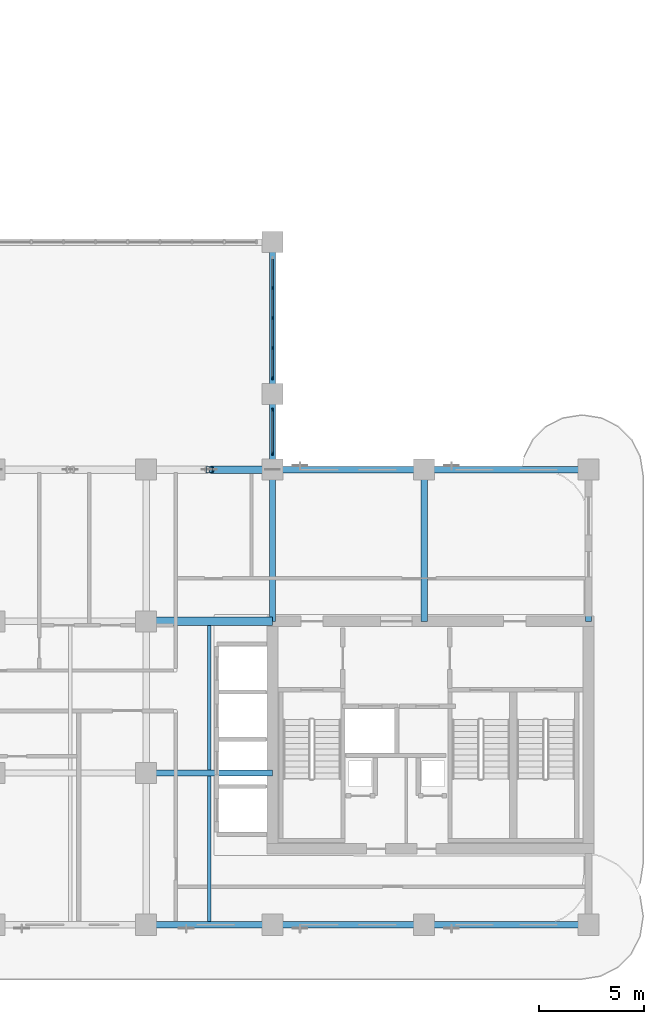
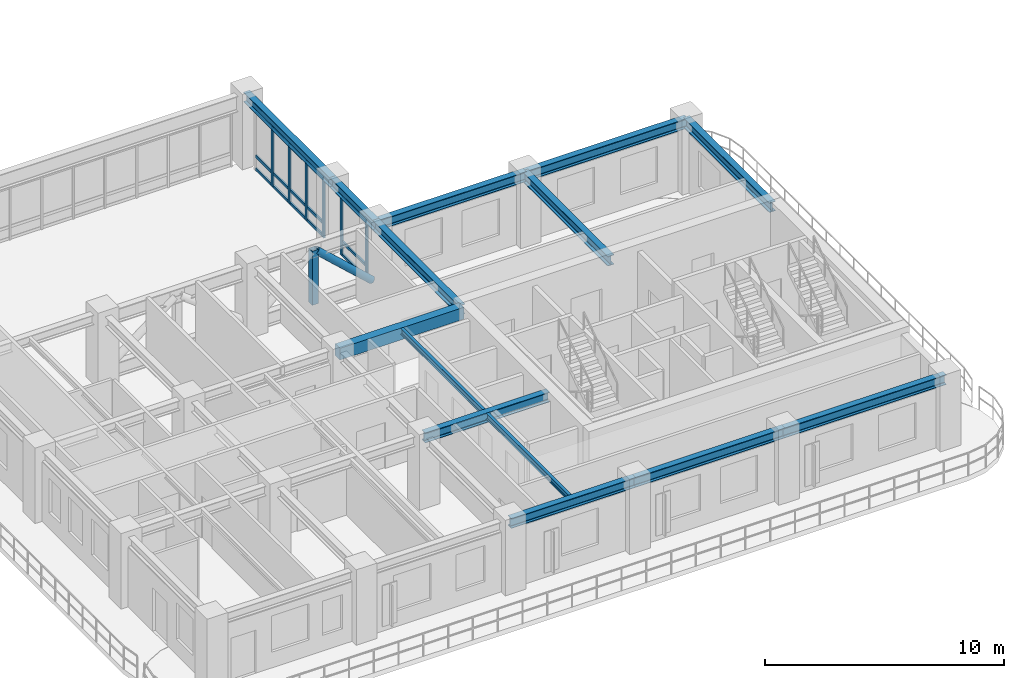
# One storey, part 3 of 17: 23 members, 14 beams, 2 elements without a shape of their own.
"""IFC4 building model written with IfcOpenShell, lengths in metres."""

from ifc_helpers import new_model, si_unit, derived_unit, direction, frame, origin, origin_2d, place, context, subcontext, project, spatial, rectangle, hollow_rectangle, hollow_circle, i_section, extrude, source, transform, mapped, material, layer, layer_set, material_profile, profile_set, type_object, type_shapes, element, aggregate, save


model = new_model("IFC4")

# Units and contexts
model_context = context("Model", 3, precision=1e-05, world=origin(), true_north=direction((0.0, 1.0)))
body_context = subcontext(model_context, "Body", "Model", "MODEL_VIEW")
ifc_project = project(units=[si_unit("LENGTHUNIT", "METRE"), si_unit("AREAUNIT", "SQUARE_METRE"), si_unit("VOLUMEUNIT", "CUBIC_METRE"), si_unit("PLANEANGLEUNIT", "RADIAN"), si_unit("MASSUNIT", "GRAM", prefix="KILO"), si_unit("THERMODYNAMICTEMPERATUREUNIT", "KELVIN"), si_unit("POWERUNIT", "WATT"), derived_unit("THERMALTRANSMITTANCEUNIT", [(si_unit("POWERUNIT", "WATT"), 1), (si_unit("AREAUNIT", "SQUARE_METRE"), -1), (si_unit("THERMODYNAMICTEMPERATUREUNIT", "KELVIN"), -1)])], contexts=[model_context])

# Site, building, storey
site_placement = place(None, origin())
site = spatial("IfcSite", under=ifc_project, at=site_placement, CompositionType="ELEMENT")
building_placement = place(site_placement, origin())
building = spatial("IfcBuilding", under=site, at=building_placement, Name="Zahravan Archway Hotel and Residences", CompositionType="ELEMENT")
storey_placement = place(building_placement, frame((0.0, 0.0, 192.64990234375)))
storey = spatial("IfcBuildingStorey", under=building, at=storey_placement, Name="L48", CompositionType="ELEMENT", Elevation=192.64990234375)

# Beams
ifc_material_1 = material(Name="Concrete C60/75", Category="concrete")
ifc_material_profile_1 = material_profile(ifc_material_1, rectangle(XDim=0.39990234375, YDim=0.60009765625, at=origin_2d()), Name="RC-LNT-400x600", Category="concrete")
ifc_profile_set_1 = profile_set([ifc_material_profile_1], Name="Concrete C60/75")
beam_type_1 = type_object("IfcBeamType", Name="LNT-RC-400x600", PredefinedType="LINTEL", material=ifc_profile_set_1)
shared_shape_1 = source(origin(), body_context, "Body", "SweptSolid", [
    extrude(rectangle(XDim=0.39990234375, YDim=0.60009765625, at=origin_2d()), origin(), (0.0, 0.0, 1.0), 6.0),
])
type_shapes(beam_type_1, [shared_shape_1])
beam_1_placement = place(storey_placement, frame((28.800048828125, 14.39990234375, 3.25), z_axis=(1.0, 0.0, 0.0), x_axis=(0.0, 1.0, 0.0)))
element("IfcBeam", 1, at=beam_1_placement, inside=storey, type_object=beam_type_1, Name="L48 Core A Coupling Lintel Beam", PredefinedType="LINTEL", context=body_context, shape_type="MappedRepresentation", body=[
    mapped(shared_shape_1, transform((0.0, 0.0, 0.0), scale=1.0)),
])
ifc_material_2 = material(Name="Structural Steel S355JR", Category="steel")
ifc_material_profile_2 = material_profile(ifc_material_2, i_section(OverallWidth=0.300048828125, OverallDepth=0.5, WebThickness=0.014404296875, FlangeThickness=0.028076171875, FilletRadius=0.027099609375, at=origin_2d()), Name="HEB 500", Category="steel")
ifc_profile_set_2 = profile_set([ifc_material_profile_2], Name="Structural Steel S355JR")
beam_type_2 = type_object("IfcBeamType", Name="BM-PRI-HEB500", PredefinedType="BEAM", material=ifc_profile_set_2)
shared_shape_2 = source(origin(), body_context, "Body", "SweptSolid", [
    extrude(i_section(OverallWidth=0.300048828125, OverallDepth=0.5, WebThickness=0.014404296875, FlangeThickness=0.028076171875, FilletRadius=0.027099609375, at=origin_2d()), origin(), (0.0, 0.0, 1.0), 7.2001953125),
])
type_shapes(beam_type_2, [shared_shape_2])
for number, where, z_axis, x_axis, name in (
    (2, (34.800048828125, 14.39990234375, 3.300048828125), (0.0, 1.0, 0.0), (-1.0, 0.0, 0.0), "L48 Primary Girder NS-40"),
    (3, (42.0, 14.39990234375, 3.300048828125), (0.0, 1.0, 0.0), (-1.0, 0.0, 0.0), "L48 Primary Girder NS-43"),
    (4, (49.800048828125, 14.39990234375, 3.300048828125), (0.0, 1.0, 0.0), (-1.0, 0.0, 0.0), "L48 Primary Girder NS-44"),
):
    element("IfcBeam", number, at=place(storey_placement, frame(where, z_axis=z_axis, x_axis=x_axis)), inside=storey, type_object=beam_type_2, Name=name, PredefinedType="BEAM", context=body_context, shape_type="MappedRepresentation", body=[
        mapped(shared_shape_2, transform((0.0, 0.0, 0.0), scale=1.0)),
    ])
shared_shape_3 = source(origin(), body_context, "Body", "SweptSolid", [
    extrude(i_section(OverallWidth=0.300048828125, OverallDepth=0.5, WebThickness=0.014404296875, FlangeThickness=0.028076171875, FilletRadius=0.027099609375, at=origin_2d()), origin(), (0.0, 0.0, 1.0), 7.199951171875),
])
for number, where, z_axis, x_axis, name in (
    (5, (34.800048828125, 0.0, 3.300048828125), (1.0, 0.0, 0.0), (0.0, 1.0, 0.0), "L48 Primary Girder EW-04"),
    (6, (34.800048828125, 21.60009765625, 3.300048828125), (1.0, 0.0, 0.0), (0.0, 1.0, 0.0), "L48 Primary Girder EW-12"),
    (7, (34.800048828125, 25.199951171875, 3.300048828125), (0.0, 1.0, 0.0), (-1.0, 0.0, 0.0), "L48 Primary Girder NS-42"),
):
    element("IfcBeam", number, at=place(storey_placement, frame(where, z_axis=z_axis, x_axis=x_axis)), inside=storey, type_object=beam_type_2, Name=name, PredefinedType="BEAM", context=body_context, shape_type="MappedRepresentation", body=[
        mapped(shared_shape_3, transform((0.0, 0.0, 0.0), scale=1.0)),
    ])
shared_shape_4 = source(origin(), body_context, "Body", "SweptSolid", [
    extrude(i_section(OverallWidth=0.300048828125, OverallDepth=0.5, WebThickness=0.014404296875, FlangeThickness=0.028076171875, FilletRadius=0.027099609375, at=origin_2d()), origin(), (0.0, 0.0, 1.0), 6.0),
])
for number, where, z_axis, x_axis, name in (
    (8, (28.800048828125, 0.0, 3.300048828125), (1.0, 0.0, 0.0), (0.0, 1.0, 0.0), "L48 Primary Girder EW-03"),
    (9, (28.800048828125, 7.199951171875, 3.300048828125), (1.0, 0.0, 0.0), (0.0, 1.0, 0.0), "L48 Primary Girder EW-08"),
):
    element("IfcBeam", number, at=place(storey_placement, frame(where, z_axis=z_axis, x_axis=x_axis)), inside=storey, type_object=beam_type_2, Name=name, PredefinedType="BEAM", context=body_context, shape_type="MappedRepresentation", body=[
        mapped(shared_shape_4, transform((0.0, 0.0, 0.0), scale=1.0)),
    ])
shared_shape_5 = source(origin(), body_context, "Body", "SweptSolid", [
    extrude(i_section(OverallWidth=0.300048828125, OverallDepth=0.5, WebThickness=0.014404296875, FlangeThickness=0.028076171875, FilletRadius=0.027099609375, at=origin_2d()), origin(), (0.0, 0.0, 1.0), 7.800048828125),
])
for number, where, z_axis, x_axis, name in (
    (10, (42.0, 0.0, 3.300048828125), (1.0, 0.0, 0.0), (0.0, 1.0, 0.0), "L48 Primary Girder EW-05"),
    (11, (42.0, 21.60009765625, 3.300048828125), (1.0, 0.0, 0.0), (0.0, 1.0, 0.0), "L48 Primary Girder EW-13"),
):
    element("IfcBeam", number, at=place(storey_placement, frame(where, z_axis=z_axis, x_axis=x_axis)), inside=storey, type_object=beam_type_2, Name=name, PredefinedType="BEAM", context=body_context, shape_type="MappedRepresentation", body=[
        mapped(shared_shape_5, transform((0.0, 0.0, 0.0), scale=1.0)),
    ])
shared_shape_6 = source(origin(), body_context, "Body", "SweptSolid", [
    extrude(i_section(OverallWidth=0.300048828125, OverallDepth=0.5, WebThickness=0.014404296875, FlangeThickness=0.028076171875, FilletRadius=0.027099609375, at=origin_2d()), origin(), (0.0, 0.0, 1.0), 3.599853515625),
])
beam_2_placement = place(storey_placement, frame((34.800048828125, 21.60009765625, 3.300048828125), z_axis=(0.0, 1.0, 0.0), x_axis=(-1.0, 0.0, 0.0)))
element("IfcBeam", 12, at=beam_2_placement, inside=storey, type_object=beam_type_2, Name="L48 Primary Girder NS-41", PredefinedType="BEAM", context=body_context, shape_type="MappedRepresentation", body=[
    mapped(shared_shape_6, transform((0.0, 0.0, 0.0), scale=1.0)),
])
ifc_material_profile_3 = material_profile(ifc_material_2, i_section(OverallWidth=0.14990234375, OverallDepth=0.300048828125, WebThickness=0.007080078125, FlangeThickness=0.0107421875, FilletRadius=0.014892578125, at=origin_2d()), Name="IPE 300", Category="steel")
ifc_profile_set_3 = profile_set([ifc_material_profile_3], Name="Structural Steel S355JR")
beam_type_3 = type_object("IfcBeamType", Name="BM-JST-IPE300", PredefinedType="JOIST", material=ifc_profile_set_3)
shared_shape_7 = source(origin(), body_context, "Body", "SweptSolid", [
    extrude(i_section(OverallWidth=0.14990234375, OverallDepth=0.300048828125, WebThickness=0.007080078125, FlangeThickness=0.0107421875, FilletRadius=0.014892578125, at=origin_2d()), origin(), (0.0, 0.0, 1.0), 6.904052734375),
])
type_shapes(beam_type_3, [shared_shape_7])
beam_3_placement = place(storey_placement, frame((31.800048828125, 0.14794921875, 3.400146484375), z_axis=(0.0, 1.0, 0.0), x_axis=(-1.0, 0.0, 0.0)))
element("IfcBeam", 13, at=beam_3_placement, inside=storey, type_object=beam_type_3, Name="L48 Composite Floor Joist 03", PredefinedType="JOIST", context=body_context, shape_type="MappedRepresentation", body=[
    mapped(shared_shape_7, transform((0.0, 0.0, 0.0), scale=1.0)),
])
shared_shape_8 = source(origin(), body_context, "Body", "SweptSolid", [
    extrude(i_section(OverallWidth=0.14990234375, OverallDepth=0.300048828125, WebThickness=0.007080078125, FlangeThickness=0.0107421875, FilletRadius=0.014892578125, at=origin_2d()), origin(), (0.0, 0.0, 1.0), 6.85400390625),
])
beam_4_placement = place(storey_placement, frame((31.800048828125, 7.347900390625, 3.400146484375), z_axis=(0.0, 1.0, 0.0), x_axis=(-1.0, 0.0, 0.0)))
element("IfcBeam", 14, at=beam_4_placement, inside=storey, type_object=beam_type_3, Name="L48 Composite Floor Joist 06", PredefinedType="JOIST", context=body_context, shape_type="MappedRepresentation", body=[
    mapped(shared_shape_8, transform((0.0, 0.0, 0.0), scale=1.0)),
])

# Members
ifc_material_3 = material(Name="Structural Steel S355J2", Category="steel")
ifc_material_profile_4 = material_profile(ifc_material_3, hollow_rectangle(XDim=0.300048828125, YDim=0.300048828125, WallThickness=0.01611328125, at=origin_2d()), Name="SHS 300x300x16", Category="steel")
ifc_profile_set_4 = profile_set([ifc_material_profile_4], Name="Structural Steel S355J2")
member_type_1 = type_object("IfcMemberType", Name="MEM-POST-SHS300", PredefinedType="POST", material=ifc_profile_set_4)
shared_shape_9 = source(origin(), body_context, "Body", "SweptSolid", [
    extrude(hollow_rectangle(XDim=0.300048828125, YDim=0.300048828125, WallThickness=0.01611328125, at=origin_2d()), origin(), (0.0, 0.0, 1.0), 2.75),
])
member_1_placement = place(storey_placement, frame((31.800048828125, 21.60009765625, 0.35009765625), z_axis=(0.0, 0.0, 1.0), x_axis=(1.0, 0.0, 0.0)))
element("IfcMember", 15, at=member_1_placement, inside=storey, type_object=member_type_1, Name="L48 Sky-Bridge Truss Post 3", PredefinedType="POST", context=body_context, shape_type="MappedRepresentation", body=[
    mapped(shared_shape_9, transform((0.0, 0.0, 0.0), scale=1.0)),
])
ifc_material_profile_5 = material_profile(ifc_material_3, hollow_circle(Radius=0.177734375, WallThickness=0.01611328125, at=origin_2d()), Name="CHS 355.6x16", Category="steel")
ifc_profile_set_5 = profile_set([ifc_material_profile_5], Name="Structural Steel S355J2")
member_type_2 = type_object("IfcMemberType", Name="MEM-DIAG-CHS355", PredefinedType="BRACE", material=ifc_profile_set_5)
shared_shape_10 = source(origin(), body_context, "Body", "SweptSolid", [
    extrude(hollow_circle(Radius=0.177734375, WallThickness=0.01611328125, at=origin_2d()), origin(), (0.0, 0.0, 1.0), 3.649658203125),
])
member_2_placement = place(storey_placement, frame((31.9033203125, 21.60009765625, 3.005615234375), z_axis=(0.737112487395, 0.0, -0.67577006513), x_axis=(0.0, 1.0, 0.0)))
element("IfcMember", 16, at=member_2_placement, inside=storey, type_object=member_type_2, Name="L48 Sky-Bridge Truss Diagonal 4", PredefinedType="BRACE", context=body_context, shape_type="MappedRepresentation", body=[
    mapped(shared_shape_10, transform((0.0, 0.0, 0.0), scale=1.0)),
])

# Curtain wall, members
ifc_material_4 = material(Name="Bronze-Anodized Unitised Aluminium & Low-E Glass", Category="aluminium")
ifc_layer = layer(ifc_material_4, 0.179931640625, Name="Bronze-Anodized Unitised Aluminium & Low-E Glass", Category="aluminium")
ifc_layer_set = layer_set([ifc_layer], Name="Bronze-Anodized Unitised Aluminium & Low-E Glass")
curtain_wall_type = type_object("IfcCurtainWallType", Name="CW-SBG-2", PredefinedType="NOTDEFINED", material=ifc_layer_set)
curtain_wall_1_placement = place(storey_placement, origin())
curtain_wall_1 = element("IfcCurtainWall", 17, at=curtain_wall_1_placement, inside=storey, type_object=curtain_wall_type, Name="L48 Curtain Wall CW-L48-HNG-E-2", PredefinedType="NOTDEFINED")
ifc_material_5 = material(Name="Bronze-Anodized Extruded Aluminium", Category="aluminium")
ifc_material_profile_6 = material_profile(ifc_material_5, rectangle(XDim=0.080078125, YDim=0.139892578125, at=origin_2d()), Name="TRN 80x140", Category="aluminium")
ifc_profile_set_6 = profile_set([ifc_material_profile_6], Name="Bronze-Anodized Extruded Aluminium")
member_type_3 = type_object("IfcMemberType", Name="CWM-TRN-140", PredefinedType="USERDEFINED", material=ifc_profile_set_6)
shared_shape_11 = source(origin(), body_context, "Body", "SweptSolid", [
    extrude(rectangle(XDim=0.080078125, YDim=0.139892578125, at=origin_2d()), origin(), (0.0, 0.0, 1.0), 1.33984375),
])
member_3_placement = place(storey_placement, frame((34.800048828125, 28.840087890625, 0.070068359375), z_axis=(0.0, 1.0, 0.0), x_axis=(-1.0, 0.0, 0.0)))
member_3 = element("IfcMember", 18, at=member_3_placement, type_object=member_type_3, Name="CW-L48-HNG-E-2 Transom 2-1", ObjectType="TRANSOM", PredefinedType="USERDEFINED", context=body_context, shape_type="MappedRepresentation", body=[
    mapped(shared_shape_11, transform((0.0, 0.0, 0.0), scale=1.0)),
])
member_4_placement = place(storey_placement, frame((34.800048828125, 28.840087890625, 0.728515625), z_axis=(0.0, 1.0, 0.0), x_axis=(-1.0, 0.0, 0.0)))
member_4 = element("IfcMember", 19, at=member_4_placement, type_object=member_type_3, Name="CW-L48-HNG-E-2 Transom 2-2", ObjectType="TRANSOM", PredefinedType="USERDEFINED", context=body_context, shape_type="MappedRepresentation", body=[
    mapped(shared_shape_11, transform((0.0, 0.0, 0.0), scale=1.0)),
])
member_5_placement = place(storey_placement, frame((34.800048828125, 28.840087890625, 2.965087890625), z_axis=(0.0, 1.0, 0.0), x_axis=(-1.0, 0.0, 0.0)))
member_5 = element("IfcMember", 20, at=member_5_placement, type_object=member_type_3, Name="CW-L48-HNG-E-2 Transom 2-3", ObjectType="TRANSOM", PredefinedType="USERDEFINED", context=body_context, shape_type="MappedRepresentation", body=[
    mapped(shared_shape_11, transform((0.0, 0.0, 0.0), scale=1.0)),
])
shared_shape_12 = source(origin(), body_context, "Body", "SweptSolid", [
    extrude(rectangle(XDim=0.080078125, YDim=0.139892578125, at=origin_2d()), origin(), (0.0, 0.0, 1.0), 1.340087890625),
])
member_6_placement = place(storey_placement, frame((34.800048828125, 26.0, 0.070068359375), z_axis=(0.0, 1.0, 0.0), x_axis=(-1.0, 0.0, 0.0)))
member_6 = element("IfcMember", 21, at=member_6_placement, type_object=member_type_3, Name="CW-L48-HNG-E-2 Transom 0-1", ObjectType="TRANSOM", PredefinedType="USERDEFINED", context=body_context, shape_type="MappedRepresentation", body=[
    mapped(shared_shape_12, transform((0.0, 0.0, 0.0), scale=1.0)),
])
member_7_placement = place(storey_placement, frame((34.800048828125, 26.0, 0.728515625), z_axis=(0.0, 1.0, 0.0), x_axis=(-1.0, 0.0, 0.0)))
member_7 = element("IfcMember", 22, at=member_7_placement, type_object=member_type_3, Name="CW-L48-HNG-E-2 Transom 0-2", ObjectType="TRANSOM", PredefinedType="USERDEFINED", context=body_context, shape_type="MappedRepresentation", body=[
    mapped(shared_shape_12, transform((0.0, 0.0, 0.0), scale=1.0)),
])
member_8_placement = place(storey_placement, frame((34.800048828125, 26.0, 2.965087890625), z_axis=(0.0, 1.0, 0.0), x_axis=(-1.0, 0.0, 0.0)))
member_8 = element("IfcMember", 23, at=member_8_placement, type_object=member_type_3, Name="CW-L48-HNG-E-2 Transom 0-3", ObjectType="TRANSOM", PredefinedType="USERDEFINED", context=body_context, shape_type="MappedRepresentation", body=[
    mapped(shared_shape_12, transform((0.0, 0.0, 0.0), scale=1.0)),
])
member_9_placement = place(storey_placement, frame((34.800048828125, 27.419921875, 0.070068359375), z_axis=(0.0, 1.0, 0.0), x_axis=(-1.0, 0.0, 0.0)))
member_9 = element("IfcMember", 24, at=member_9_placement, type_object=member_type_3, Name="CW-L48-HNG-E-2 Transom 1-1", ObjectType="TRANSOM", PredefinedType="USERDEFINED", context=body_context, shape_type="MappedRepresentation", body=[
    mapped(shared_shape_12, transform((0.0, 0.0, 0.0), scale=1.0)),
])
member_10_placement = place(storey_placement, frame((34.800048828125, 27.419921875, 0.728515625), z_axis=(0.0, 1.0, 0.0), x_axis=(-1.0, 0.0, 0.0)))
member_10 = element("IfcMember", 25, at=member_10_placement, type_object=member_type_3, Name="CW-L48-HNG-E-2 Transom 1-2", ObjectType="TRANSOM", PredefinedType="USERDEFINED", context=body_context, shape_type="MappedRepresentation", body=[
    mapped(shared_shape_12, transform((0.0, 0.0, 0.0), scale=1.0)),
])
member_11_placement = place(storey_placement, frame((34.800048828125, 27.419921875, 2.965087890625), z_axis=(0.0, 1.0, 0.0), x_axis=(-1.0, 0.0, 0.0)))
member_11 = element("IfcMember", 26, at=member_11_placement, type_object=member_type_3, Name="CW-L48-HNG-E-2 Transom 1-3", ObjectType="TRANSOM", PredefinedType="USERDEFINED", context=body_context, shape_type="MappedRepresentation", body=[
    mapped(shared_shape_12, transform((0.0, 0.0, 0.0), scale=1.0)),
])
member_12_placement = place(storey_placement, frame((34.800048828125, 30.260009765625, 0.070068359375), z_axis=(0.0, 1.0, 0.0), x_axis=(-1.0, 0.0, 0.0)))
member_12 = element("IfcMember", 27, at=member_12_placement, type_object=member_type_3, Name="CW-L48-HNG-E-2 Transom 3-1", ObjectType="TRANSOM", PredefinedType="USERDEFINED", context=body_context, shape_type="MappedRepresentation", body=[
    mapped(shared_shape_12, transform((0.0, 0.0, 0.0), scale=1.0)),
])
member_13_placement = place(storey_placement, frame((34.800048828125, 30.260009765625, 0.728515625), z_axis=(0.0, 1.0, 0.0), x_axis=(-1.0, 0.0, 0.0)))
member_13 = element("IfcMember", 28, at=member_13_placement, type_object=member_type_3, Name="CW-L48-HNG-E-2 Transom 3-2", ObjectType="TRANSOM", PredefinedType="USERDEFINED", context=body_context, shape_type="MappedRepresentation", body=[
    mapped(shared_shape_12, transform((0.0, 0.0, 0.0), scale=1.0)),
])
member_14_placement = place(storey_placement, frame((34.800048828125, 30.260009765625, 2.965087890625), z_axis=(0.0, 1.0, 0.0), x_axis=(-1.0, 0.0, 0.0)))
member_14 = element("IfcMember", 29, at=member_14_placement, type_object=member_type_3, Name="CW-L48-HNG-E-2 Transom 3-3", ObjectType="TRANSOM", PredefinedType="USERDEFINED", context=body_context, shape_type="MappedRepresentation", body=[
    mapped(shared_shape_12, transform((0.0, 0.0, 0.0), scale=1.0)),
])

curtain_wall_2_placement = place(storey_placement, origin())
curtain_wall_2 = element("IfcCurtainWall", 30, at=curtain_wall_2_placement, inside=storey, type_object=curtain_wall_type, Name="L48 Curtain Wall CW-L48-HNG-E-1", PredefinedType="NOTDEFINED")
shared_shape_13 = source(origin(), body_context, "Body", "SweptSolid", [
    extrude(rectangle(XDim=0.080078125, YDim=0.139892578125, at=origin_2d()), origin(), (0.0, 0.0, 1.0), 2.0),
])
member_15_placement = place(storey_placement, frame((34.800048828125, 22.39990234375, 0.070068359375), z_axis=(0.0, 1.0, 0.0), x_axis=(-1.0, 0.0, 0.0)))
member_15 = element("IfcMember", 31, at=member_15_placement, type_object=member_type_3, Name="CW-L48-HNG-E-1 Transom 0-1", ObjectType="TRANSOM", PredefinedType="USERDEFINED", context=body_context, shape_type="MappedRepresentation", body=[
    mapped(shared_shape_13, transform((0.0, 0.0, 0.0), scale=1.0)),
])
member_16_placement = place(storey_placement, frame((34.800048828125, 22.39990234375, 0.728515625), z_axis=(0.0, 1.0, 0.0), x_axis=(-1.0, 0.0, 0.0)))
member_16 = element("IfcMember", 32, at=member_16_placement, type_object=member_type_3, Name="CW-L48-HNG-E-1 Transom 0-2", ObjectType="TRANSOM", PredefinedType="USERDEFINED", context=body_context, shape_type="MappedRepresentation", body=[
    mapped(shared_shape_13, transform((0.0, 0.0, 0.0), scale=1.0)),
])
member_17_placement = place(storey_placement, frame((34.800048828125, 22.39990234375, 2.965087890625), z_axis=(0.0, 1.0, 0.0), x_axis=(-1.0, 0.0, 0.0)))
member_17 = element("IfcMember", 33, at=member_17_placement, type_object=member_type_3, Name="CW-L48-HNG-E-1 Transom 0-3", ObjectType="TRANSOM", PredefinedType="USERDEFINED", context=body_context, shape_type="MappedRepresentation", body=[
    mapped(shared_shape_13, transform((0.0, 0.0, 0.0), scale=1.0)),
])
ifc_material_profile_7 = material_profile(ifc_material_5, rectangle(XDim=0.080078125, YDim=0.159912109375, at=origin_2d()), Name="MUL 80x160", Category="aluminium")
ifc_profile_set_7 = profile_set([ifc_material_profile_7], Name="Bronze-Anodized Extruded Aluminium")
member_type_4 = type_object("IfcMemberType", Name="CWM-MUL-160", PredefinedType="MULLION", material=ifc_profile_set_7)
shared_shape_14 = source(origin(), body_context, "Body", "SweptSolid", [
    extrude(rectangle(XDim=0.080078125, YDim=0.159912109375, at=origin_2d()), origin(), (0.0, 0.0, 1.0), 3.03515625),
])
member_18_placement = place(storey_placement, frame((34.800048828125, 22.360107421875, 0.0), z_axis=(0.0, 0.0, 1.0), x_axis=(1.0, 0.0, 0.0)))
member_18 = element("IfcMember", 34, at=member_18_placement, type_object=member_type_4, Name="CW-L48-HNG-E-1 Mullion 0", PredefinedType="MULLION", context=body_context, shape_type="MappedRepresentation", body=[
    mapped(shared_shape_14, transform((0.0, 0.0, 0.0), scale=1.0)),
])
member_19_placement = place(storey_placement, frame((34.800048828125, 24.43994140625, 0.0), z_axis=(0.0, 0.0, 1.0), x_axis=(1.0, 0.0, 0.0)))
member_19 = element("IfcMember", 35, at=member_19_placement, type_object=member_type_4, Name="CW-L48-HNG-E-1 Mullion 1", PredefinedType="MULLION", context=body_context, shape_type="MappedRepresentation", body=[
    mapped(shared_shape_14, transform((0.0, 0.0, 0.0), scale=1.0)),
])
aggregate(curtain_wall_2, [member_18, member_19, member_15, member_16, member_17])

# Member
member_20_placement = place(storey_placement, frame((34.800048828125, 25.9599609375, 0.0), z_axis=(0.0, 0.0, 1.0), x_axis=(1.0, 0.0, 0.0)))
member_20 = element("IfcMember", 36, at=member_20_placement, type_object=member_type_4, Name="CW-L48-HNG-E-2 Mullion 0", PredefinedType="MULLION", context=body_context, shape_type="MappedRepresentation", body=[
    mapped(shared_shape_14, transform((0.0, 0.0, 0.0), scale=1.0)),
])

member_21_placement = place(storey_placement, frame((34.800048828125, 27.3798828125, 0.0), z_axis=(0.0, 0.0, 1.0), x_axis=(1.0, 0.0, 0.0)))
member_21 = element("IfcMember", 37, at=member_21_placement, type_object=member_type_4, Name="CW-L48-HNG-E-2 Mullion 1", PredefinedType="MULLION", context=body_context, shape_type="MappedRepresentation", body=[
    mapped(shared_shape_14, transform((0.0, 0.0, 0.0), scale=1.0)),
])

member_22_placement = place(storey_placement, frame((34.800048828125, 28.800048828125, 0.0), z_axis=(0.0, 0.0, 1.0), x_axis=(1.0, 0.0, 0.0)))
member_22 = element("IfcMember", 38, at=member_22_placement, type_object=member_type_4, Name="CW-L48-HNG-E-2 Mullion 2", PredefinedType="MULLION", context=body_context, shape_type="MappedRepresentation", body=[
    mapped(shared_shape_14, transform((0.0, 0.0, 0.0), scale=1.0)),
])

member_23_placement = place(storey_placement, frame((34.800048828125, 30.219970703125, 0.0), z_axis=(0.0, 0.0, 1.0), x_axis=(1.0, 0.0, 0.0)))
member_23 = element("IfcMember", 39, at=member_23_placement, type_object=member_type_4, Name="CW-L48-HNG-E-2 Mullion 3", PredefinedType="MULLION", context=body_context, shape_type="MappedRepresentation", body=[
    mapped(shared_shape_14, transform((0.0, 0.0, 0.0), scale=1.0)),
])

aggregate(curtain_wall_1, [member_20, member_21, member_22, member_23, member_6, member_7, member_8, member_9, member_10, member_11, member_3, member_4, member_5, member_12, member_13, member_14])

save(model, "model.ifc")
